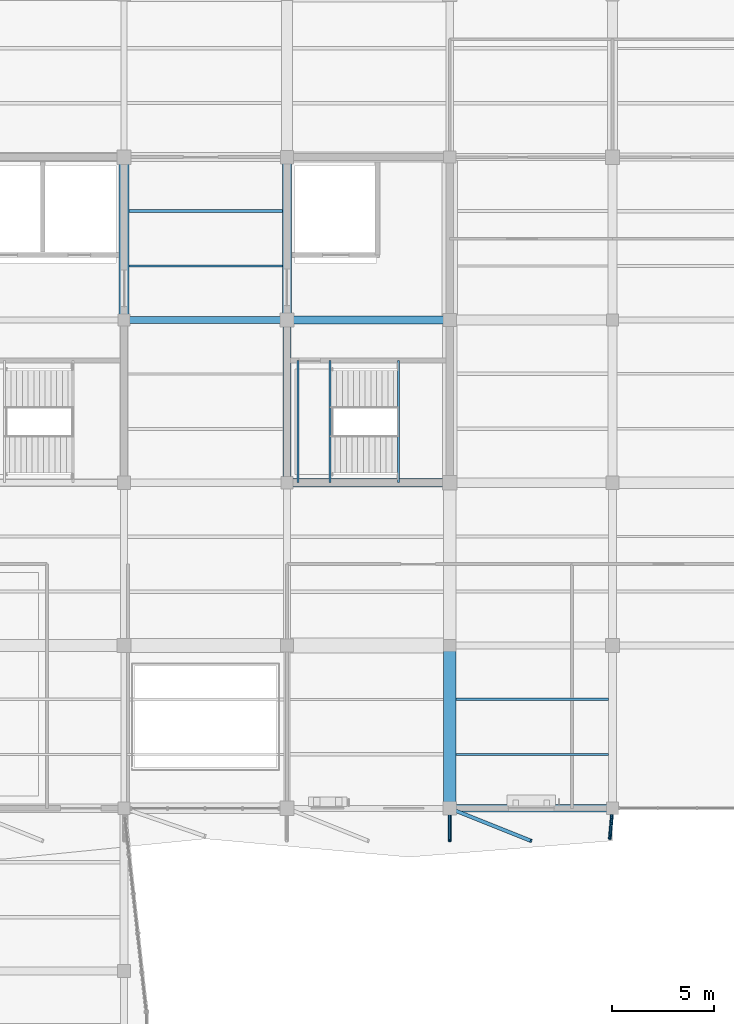
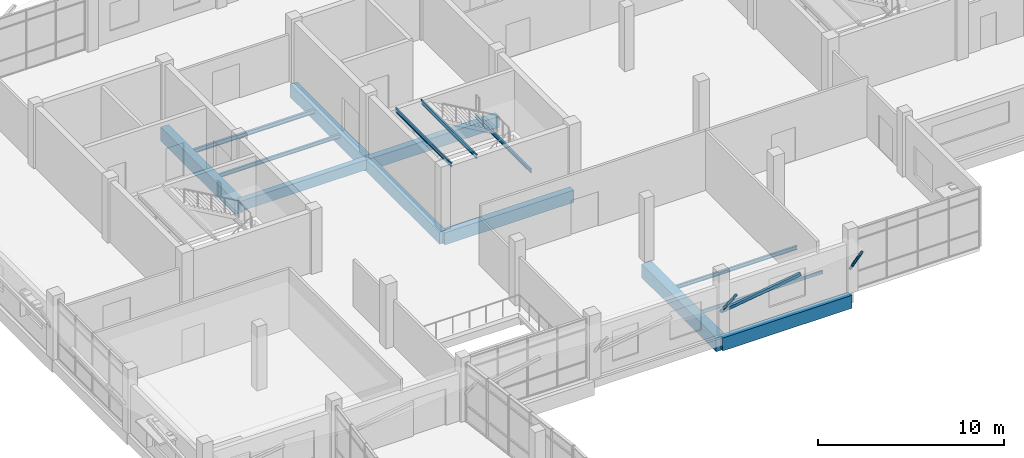
# One storey, part 28 of 84: 15 beams, 3 members.
"""IFC4 building model written with IfcOpenShell, lengths in metres."""

from ifc_helpers import new_model, si_unit, direction, frame, origin, origin_2d, place, context, subcontext, project, spatial, rectangle, hollow_rectangle, hollow_circle, i_section, extrude, material, material_profile, profile_set, type_object, element, save


model = new_model("IFC4")

# Units and contexts
model_context = context("Model", 3, precision=1e-05, world=origin(), true_north=direction((0.0, 1.0)))
body_context = subcontext(model_context, "Body", "Model", "MODEL_VIEW")
ifc_project = project(units=[si_unit("LENGTHUNIT", "METRE"), si_unit("AREAUNIT", "SQUARE_METRE"), si_unit("VOLUMEUNIT", "CUBIC_METRE"), si_unit("PLANEANGLEUNIT", "RADIAN"), si_unit("MASSUNIT", "GRAM", prefix="KILO")], contexts=[model_context])

# Site, building, storey
site_placement = place(None, origin())
site = spatial("IfcSite", under=ifc_project, at=site_placement, CompositionType="ELEMENT")
building_placement = place(site_placement, origin())
building = spatial("IfcBuilding", under=site, at=building_placement, Name="Tenunan Teduh Sports Hall", CompositionType="ELEMENT")
storey_placement = place(building_placement, frame((0.0, 0.0, 10.800048828125)))
storey = spatial("IfcBuildingStorey", under=building, at=storey_placement, Name="L02", CompositionType="ELEMENT", Elevation=10.800048828125)

# Beams
ifc_material_1 = material(Name="Concrete C40/50", Category="concrete")
ifc_material_profile_1 = material_profile(ifc_material_1, rectangle(XDim=0.35009765625, YDim=0.64990234375, at=origin_2d()), Name="RCB 350x650")
ifc_profile_set_1 = profile_set([ifc_material_profile_1], Name="Concrete C40/50")
beam_type_1 = type_object("IfcBeamType", Name="BM-RC-350x650", PredefinedType="BEAM", material=ifc_profile_set_1)
beam_1_placement = place(storey_placement, frame((22.0, 102.0, -0.5849609375), z_axis=(1.0, 0.0, 0.0), x_axis=(0.0, 1.0, 0.0)))
element("IfcBeam", 1, at=beam_1_placement, inside=storey, type_object=beam_type_1, Name="BM-B-05-L02-1526", PredefinedType="BEAM", context=body_context, shape_type="SweptSolid", body=[
    extrude(rectangle(XDim=0.35009765625, YDim=0.64990234375, at=origin_2d()), origin(), (0.0, 0.0, 1.0), 8.0),
])
ifc_material_2 = material(Name="Concrete C40/50", Category="concrete")
ifc_material_profile_2 = material_profile(ifc_material_2, rectangle(XDim=0.39990234375, YDim=0.75, at=origin_2d()), Name="RCB 400x750")
ifc_profile_set_2 = profile_set([ifc_material_profile_2], Name="Concrete C40/50")
beam_type_2 = type_object("IfcBeamType", Name="BM-RC-400x750", PredefinedType="BEAM", material=ifc_profile_set_2)
beam_2_placement = place(storey_placement, frame((30.0, 102.0, -0.635009765625), z_axis=(1.0, 0.0, 0.0), x_axis=(0.0, 1.0, 0.0)))
element("IfcBeam", 2, at=beam_2_placement, inside=storey, type_object=beam_type_2, Name="BM-B-09-L02-1527", PredefinedType="BEAM", context=body_context, shape_type="SweptSolid", body=[
    extrude(rectangle(XDim=0.39990234375, YDim=0.75, at=origin_2d()), origin(), (0.0, 0.0, 1.0), 8.0),
])
ifc_material_3 = material(Name="Concrete C40/50", Category="concrete")
ifc_material_profile_3 = material_profile(ifc_material_3, rectangle(XDim=0.39990234375, YDim=0.800048828125, at=origin_2d()), Name="RCB 400x800")
ifc_profile_set_3 = profile_set([ifc_material_profile_3], Name="Concrete C40/50")
beam_type_3 = type_object("IfcBeamType", Name="BM-RC-400x800", PredefinedType="BEAM", material=ifc_profile_set_3)
for number, where, z_axis, x_axis, name in (
    (3, (30.0, 94.0, -0.66015625), (1.0, 0.0, 0.0), (0.0, 1.0, 0.0), "BM-B-10-L02-1510"),
    (4, (30.0, 94.0, -0.66015625), (0.0, 1.0, 0.0), (-1.0, 0.0, 0.0), "BM-B-10-L02-1595"),
):
    element("IfcBeam", number, at=place(storey_placement, frame(where, z_axis=z_axis, x_axis=x_axis)), inside=storey, type_object=beam_type_3, Name=name, PredefinedType="BEAM", context=body_context, shape_type="SweptSolid", body=[
        extrude(rectangle(XDim=0.39990234375, YDim=0.800048828125, at=origin_2d()), origin(), (0.0, 0.0, 1.0), 8.0),
    ])
ifc_material_4 = material(Name="Concrete C40/50", Category="concrete")
ifc_material_profile_4 = material_profile(ifc_material_4, rectangle(XDim=0.449951171875, YDim=0.85009765625, at=origin_2d()), Name="RCB 450x850")
ifc_profile_set_4 = profile_set([ifc_material_profile_4], Name="Concrete C40/50")
beam_type_4 = type_object("IfcBeamType", Name="BM-RC-450x850", PredefinedType="BEAM", material=ifc_profile_set_4)
beam_3_placement = place(storey_placement, frame((30.0, 102.0, -0.68505859375), z_axis=(0.0, 1.0, 0.0), x_axis=(-1.0, 0.0, 0.0)))
element("IfcBeam", 5, at=beam_3_placement, inside=storey, type_object=beam_type_4, Name="BM-B-13-L02-1596", PredefinedType="BEAM", context=body_context, shape_type="SweptSolid", body=[
    extrude(rectangle(XDim=0.449951171875, YDim=0.85009765625, at=origin_2d()), origin(), (0.0, 0.0, 1.0), 8.0),
])
ifc_material_5 = material(Name="Concrete C40/50", Category="concrete")
ifc_material_profile_5 = material_profile(ifc_material_5, rectangle(XDim=0.5, YDim=0.89990234375, at=origin_2d()), Name="RCB 500x900")
ifc_profile_set_5 = profile_set([ifc_material_profile_5], Name="Concrete C40/50")
beam_type_5 = type_object("IfcBeamType", Name="BM-RC-500x900", PredefinedType="BEAM", material=ifc_profile_set_5)
beam_4_placement = place(storey_placement, frame((22.0, 102.0, -0.7099609375), z_axis=(0.0, 1.0, 0.0), x_axis=(-1.0, 0.0, 0.0)))
element("IfcBeam", 6, at=beam_4_placement, inside=storey, type_object=beam_type_5, Name="BM-B-15-L02-1591", PredefinedType="BEAM", context=body_context, shape_type="SweptSolid", body=[
    extrude(rectangle(XDim=0.5, YDim=0.89990234375, at=origin_2d()), origin(), (0.0, 0.0, 1.0), 8.0),
])
ifc_material_6 = material(Name="Concrete C40/50", Category="concrete")
ifc_material_profile_6 = material_profile(ifc_material_6, rectangle(XDim=0.60009765625, YDim=0.89990234375, at=origin_2d()), Name="RCB 600x900")
ifc_profile_set_6 = profile_set([ifc_material_profile_6], Name="Concrete C40/50")
beam_type_6 = type_object("IfcBeamType", Name="BM-RC-600x900", PredefinedType="BEAM", material=ifc_profile_set_6)
beam_5_placement = place(storey_placement, frame((38.0, 78.0, -0.7099609375), z_axis=(0.0, 1.0, 0.0), x_axis=(-1.0, 0.0, 0.0)))
element("IfcBeam", 7, at=beam_5_placement, inside=storey, type_object=beam_type_6, Name="BM-B-17-L02-1598", PredefinedType="BEAM", context=body_context, shape_type="SweptSolid", body=[
    extrude(rectangle(XDim=0.60009765625, YDim=0.89990234375, at=origin_2d()), origin(), (0.0, 0.0, 1.0), 8.0),
])
ifc_material_7 = material(Name="Concrete C40/50", Category="concrete")
ifc_material_profile_7 = material_profile(ifc_material_7, rectangle(XDim=0.35009765625, YDim=0.85009765625, at=origin_2d()), Name="SPB 350x850")
ifc_profile_set_7 = profile_set([ifc_material_profile_7], Name="Concrete C40/50")
beam_type_7 = type_object("IfcBeamType", Name="BM-SP-350x850", PredefinedType="SPANDREL", material=ifc_profile_set_7)
beam_6_placement = place(storey_placement, frame((38.0, 78.0, -0.68505859375), z_axis=(1.0, 0.0, 0.0), x_axis=(0.0, 1.0, 0.0)))
element("IfcBeam", 8, at=beam_6_placement, inside=storey, type_object=beam_type_7, Name="BM-SP-02-L02-1486", PredefinedType="SPANDREL", context=body_context, shape_type="SweptSolid", body=[
    extrude(rectangle(XDim=0.35009765625, YDim=0.85009765625, at=origin_2d()), origin(), (0.0, 0.0, 1.0), 8.0),
])
ifc_material_8 = material(Name="Steel S355", Category="steel")
ifc_material_profile_8 = material_profile(ifc_material_8, i_section(OverallWidth=0.1201171875, OverallDepth=0.239990234375, WebThickness=0.006103515625, FlangeThickness=0.009765625, FilletRadius=0.014892578125, at=origin_2d()), Name="IPE 240")
ifc_profile_set_8 = profile_set([ifc_material_profile_8], Name="Steel S355")
beam_type_8 = type_object("IfcBeamType", Name="JST-IPE240", PredefinedType="JOIST", material=ifc_profile_set_8)
beam_7_placement = place(storey_placement, frame((22.25, 104.64990234375, -0.380126953125), z_axis=(1.0, 0.0, 0.0), x_axis=(0.0, 1.0, 0.0)))
element("IfcBeam", 9, at=beam_7_placement, inside=storey, type_object=beam_type_8, Name="BM-J-02-L02-1704", PredefinedType="JOIST", context=body_context, shape_type="SweptSolid", body=[
    extrude(i_section(OverallWidth=0.1201171875, OverallDepth=0.239990234375, WebThickness=0.006103515625, FlangeThickness=0.009765625, FilletRadius=0.014892578125, at=origin_2d()), origin(), (0.0, 0.0, 1.0), 7.52490234375),
])
beam_8_placement = place(storey_placement, frame((38.300048828125, 83.35009765625, -0.380126953125), z_axis=(1.0, 0.0, 0.0), x_axis=(0.0, 1.0, 0.0)))
element("IfcBeam", 10, at=beam_8_placement, inside=storey, type_object=beam_type_8, Name="BM-J-02-L02-1715", PredefinedType="JOIST", context=body_context, shape_type="SweptSolid", body=[
    extrude(i_section(OverallWidth=0.1201171875, OverallDepth=0.239990234375, WebThickness=0.006103515625, FlangeThickness=0.009765625, FilletRadius=0.014892578125, at=origin_2d()), origin(), (0.0, 0.0, 1.0), 7.5),
])
ifc_material_9 = material(Name="Steel S355", Category="steel")
ifc_material_profile_9 = material_profile(ifc_material_9, i_section(OverallWidth=0.135009765625, OverallDepth=0.27001953125, WebThickness=0.006591796875, FlangeThickness=0.01025390625, FilletRadius=0.014892578125, at=origin_2d()), Name="IPE 270")
ifc_profile_set_9 = profile_set([ifc_material_profile_9], Name="Steel S355")
beam_type_9 = type_object("IfcBeamType", Name="JST-IPE270", PredefinedType="JOIST", material=ifc_profile_set_9)
beam_9_placement = place(storey_placement, frame((22.25, 107.35009765625, -0.39501953125), z_axis=(1.0, 0.0, 0.0), x_axis=(0.0, 1.0, 0.0)))
element("IfcBeam", 11, at=beam_9_placement, inside=storey, type_object=beam_type_9, Name="BM-J-03-L02-1705", PredefinedType="JOIST", context=body_context, shape_type="SweptSolid", body=[
    extrude(i_section(OverallWidth=0.135009765625, OverallDepth=0.27001953125, WebThickness=0.006591796875, FlangeThickness=0.01025390625, FilletRadius=0.014892578125, at=origin_2d()), origin(), (0.0, 0.0, 1.0), 7.52490234375),
])

# Members
ifc_material_10 = material(Name="Steel S355", Category="steel")
ifc_material_profile_10 = material_profile(ifc_material_10, hollow_circle(Radius=0.084228515625, WallThickness=0.008056640625, at=origin_2d()), Name="CHS 168.3x8.0")
ifc_profile_set_10 = profile_set([ifc_material_profile_10], Name="Steel S355")
member_type_1 = type_object("IfcMemberType", Name="MEM-BR-CHS168", PredefinedType="BRACE", material=ifc_profile_set_10)
member_1_placement = place(storey_placement, frame((38.0, 78.0, 1.39990234375), z_axis=(0.0, -0.620921316091, 0.783872897366), x_axis=(1.0, 0.0, 0.0)))
element("IfcMember", 12, at=member_1_placement, inside=storey, type_object=member_type_1, Name="MEM-GD-04-L02-1259", PredefinedType="BRACE", context=body_context, shape_type="SweptSolid", body=[
    extrude(hollow_circle(Radius=0.084228515625, WallThickness=0.008056640625, at=origin_2d()), origin(), (0.0, 0.0, 1.0), 2.576904296875),
])
member_2_placement = place(storey_placement, frame((46.0, 78.0, 1.39990234375), z_axis=(-0.051797178254, -0.590215215369, 0.805582430215), x_axis=(0.996171209665, -0.08742380131, 0.0)))
element("IfcMember", 13, at=member_2_placement, inside=storey, type_object=member_type_1, Name="MEM-GD-04-L02-1261", PredefinedType="BRACE", context=body_context, shape_type="SweptSolid", body=[
    extrude(hollow_circle(Radius=0.084228515625, WallThickness=0.008056640625, at=origin_2d()), origin(), (0.0, 0.0, 1.0), 2.507568359375),
])
ifc_material_11 = material(Name="Steel S355", Category="steel")
ifc_material_profile_11 = material_profile(ifc_material_11, hollow_rectangle(XDim=0.179931640625, YDim=0.179931640625, WallThickness=0.010009765625, at=origin_2d()), Name="SHS 180x180x10.0")
ifc_profile_set_11 = profile_set([ifc_material_profile_11], Name="Steel S355")
member_type_2 = type_object("IfcMemberType", Name="MEM-ST-SHS180", PredefinedType="STRUT", material=ifc_profile_set_11)
member_3_placement = place(storey_placement, frame((38.0, 78.0, 1.39990234375), z_axis=(0.840648010472, -0.336279727822, 0.424531350015), x_axis=(0.37141021739, 0.928468874232, 0.0)))
element("IfcMember", 14, at=member_3_placement, inside=storey, type_object=member_type_2, Name="MEM-VS-03-L02-1260", PredefinedType="STRUT", context=body_context, shape_type="SweptSolid", body=[
    extrude(hollow_rectangle(XDim=0.179931640625, YDim=0.179931640625, WallThickness=0.010009765625, at=origin_2d()), origin(), (0.0, 0.0, 1.0), 4.75830078125),
])

# Beams
ifc_material_12 = material(Name="Steel S355", Category="steel")
ifc_material_profile_12 = material_profile(ifc_material_12, hollow_rectangle(XDim=0.10009765625, YDim=0.199951171875, WallThickness=0.008056640625, at=origin_2d()), Name="RHS 200x100x8.0")
ifc_profile_set_12 = profile_set([ifc_material_profile_12], Name="Steel S355")
beam_type_10 = type_object("IfcBeamType", Name="RBM-RHS200", PredefinedType="JOIST", material=ifc_profile_set_12)
beam_10_placement = place(storey_placement, frame((38.300048828125, 80.64990234375, -0.360107421875), z_axis=(1.0, 0.0, 0.0), x_axis=(0.0, 1.0, 0.0)))
element("IfcBeam", 15, at=beam_10_placement, inside=storey, type_object=beam_type_10, Name="Perimeter Ring Beam BM-RB-05-L02-1714", PredefinedType="JOIST", context=body_context, shape_type="SweptSolid", body=[
    extrude(hollow_rectangle(XDim=0.10009765625, YDim=0.199951171875, WallThickness=0.008056640625, at=origin_2d()), origin(), (0.0, 0.0, 1.0), 7.5),
])
ifc_material_13 = material(Name="Steel S355", Category="steel")
ifc_material_profile_13 = material_profile(ifc_material_13, i_section(OverallWidth=0.090087890625, OverallDepth=0.260009765625, WebThickness=0.008056640625, FlangeThickness=0.013916015625, FilletRadius=0.011962890625, at=origin_2d()), Name="PFC 260x90")
ifc_profile_set_13 = profile_set([ifc_material_profile_13], Name="Steel S355")
beam_type_11 = type_object("IfcBeamType", Name="STR-BM-TRIM", PredefinedType="BEAM", material=ifc_profile_set_13)
for number, where, z_axis, x_axis, name in (
    (16, (35.47998046875, 94.0, 1.77001953125), (0.0, 1.0, 0.0), (-1.0, 0.0, 0.0), "BM-SS-02-W2-L02-M"),
    (17, (32.1201171875, 94.0, 3.869873046875), (0.0, 1.0, 0.0), (-1.0, 0.0, 0.0), "BM-SS-02-W2-L02-T"),
    (18, (30.550048828125, 94.0, 3.869873046875), (0.0, 1.0, 0.0), (-1.0, 0.0, 0.0), "BM-SS-02-W2-L02-TW"),
):
    element("IfcBeam", number, at=place(storey_placement, frame(where, z_axis=z_axis, x_axis=x_axis)), inside=storey, type_object=beam_type_11, Name=name, PredefinedType="BEAM", context=body_context, shape_type="SweptSolid", body=[
        extrude(i_section(OverallWidth=0.090087890625, OverallDepth=0.260009765625, WebThickness=0.008056640625, FlangeThickness=0.013916015625, FilletRadius=0.011962890625, at=origin_2d()), origin(), (0.0, 0.0, 1.0), 6.0),
    ])

save(model, "model.ifc")
